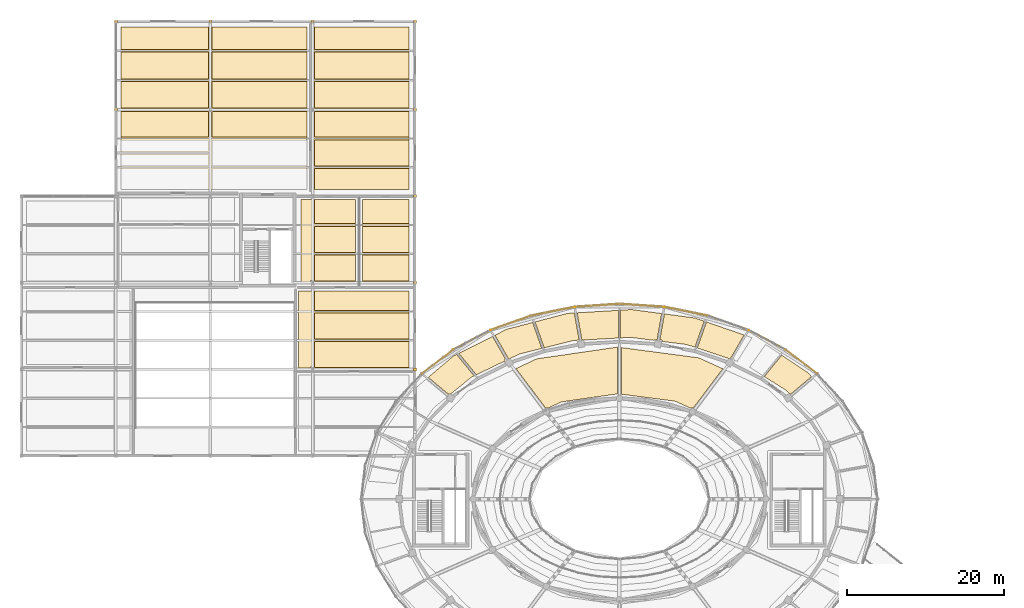
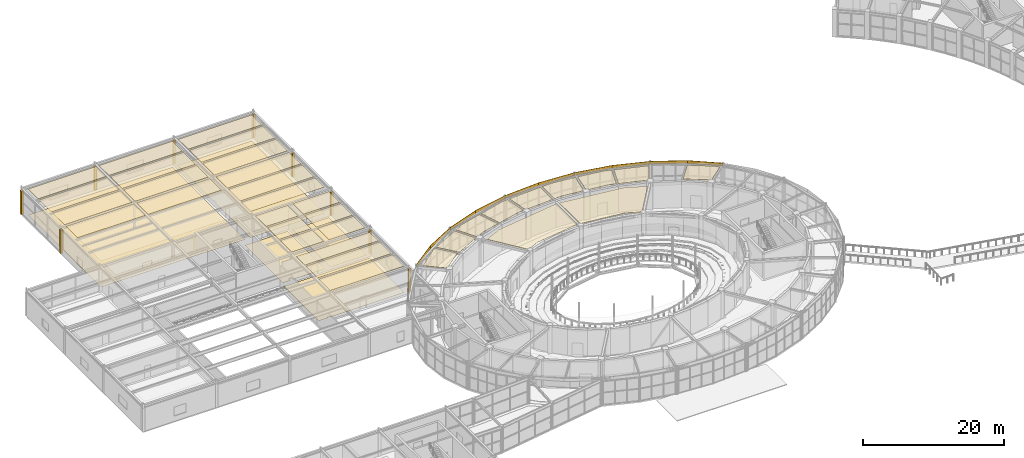
# One storey, part 96 of 100: 58 coverings.
"""IFC4 building model written with IfcOpenShell, lengths in metres."""

from ifc_helpers import new_model, si_unit, direction, frame, frame_2d, origin, origin_2d, place, context, subcontext, project, spatial, polyline, rectangle, outline, extrude, material, layer, layer_set, type_object, element, save


model = new_model("IFC4")

# Units and contexts
model_context = context("Model", 3, precision=1e-05, world=origin(), true_north=direction((0.0, 1.0)))
body_context = subcontext(model_context, "Body", "Model", "MODEL_VIEW")
ifc_project = project(units=[si_unit("LENGTHUNIT", "METRE"), si_unit("AREAUNIT", "SQUARE_METRE"), si_unit("VOLUMEUNIT", "CUBIC_METRE"), si_unit("PLANEANGLEUNIT", "RADIAN"), si_unit("MASSUNIT", "GRAM", prefix="KILO")], contexts=[model_context])

# Site, building, storey
site_placement = place(None, origin())
site = spatial("IfcSite", under=ifc_project, at=site_placement, CompositionType="ELEMENT")
building_placement = place(site_placement, origin())
building = spatial("IfcBuilding", under=site, at=building_placement, Name="Tarnveldt Headland Concert Hall", CompositionType="ELEMENT")
storey_placement = place(building_placement, frame((0.0, 0.0, 4.800048828125)))
storey = spatial("IfcBuildingStorey", under=building, at=storey_placement, Name="L01", CompositionType="ELEMENT", Elevation=4.800048828125)

# Coverings
ifc_material_1 = material(Name="Micro-perforated mvule acoustic ceiling panel", Category="timber")
ifc_layer_1 = layer(ifc_material_1, 0.050048828125, Name="Micro-perforated mvule acoustic ceiling panel", Category="timber")
ifc_layer_set_1 = layer_set([ifc_layer_1], Name="Micro-perforated mvule acoustic ceiling panel")
covering_type_1 = type_object("IfcCoveringType", Name="CV-CEIL50", PredefinedType="CEILING", material=ifc_layer_set_1)
covering_1_placement = place(storey_placement, frame((0.0, 0.0, 4.489990234375)))
element("IfcCovering", 1, at=covering_1_placement, inside=storey, type_object=covering_type_1, Name="Acoustic mvule ceiling L01-10-122", PredefinedType="CEILING", context=body_context, shape_type="SweptSolid", body=[
    extrude(outline(polyline([(90.525146484375, 66.949462890625), (84.0, 67.794677734375), (84.0, 67.800048828125), (83.95947265625, 67.800048828125), (83.72998046875, 67.82958984375), (83.72998046875, 73.755615234375), (93.58447265625, 72.45263671875), (96.640380859375, 71.06201171875), (92.888916015625, 66.085205078125), (92.482421875, 66.085205078125), (90.575439453125, 66.935302734375), (90.55908203125, 66.941650390625), (90.54248046875, 66.9462890625), (90.525146484375, 66.949462890625)])), origin(), (0.0, 0.0, 1.0), 0.050048828125),
])
covering_2_placement = place(storey_placement, frame((0.0, 0.0, 4.489990234375)))
element("IfcCovering", 2, at=covering_2_placement, inside=storey, type_object=covering_type_1, Name="Acoustic mvule ceiling L01-10-123", PredefinedType="CEILING", context=body_context, shape_type="SweptSolid", body=[
    extrude(outline(polyline([(76.114990234375, 66.847412109375), (74.46875, 66.085205078125), (74.111083984375, 66.085205078125), (70.344482421875, 71.08251953125), (72.973388671875, 72.324951171875), (83.260986328125, 73.817626953125), (83.27001953125, 73.81640625), (83.27001953125, 67.872314453125), (76.165283203125, 66.8623046875), (76.148193359375, 66.859130859375), (76.13134765625, 66.85400390625), (76.114990234375, 66.847412109375)])), origin(), (0.0, 0.0, 1.0), 0.050048828125),
])
covering_3_placement = place(storey_placement, frame((0.0, 0.0, 4.489990234375)))
element("IfcCovering", 3, at=covering_3_placement, inside=storey, type_object=covering_type_1, Name="Acoustic mvule ceiling L01-12-145", PredefinedType="CEILING", context=body_context, shape_type="SweptSolid", body=[
    extrude(outline(polyline([(104.123779296875, 72.793212890625), (107.386962890625, 70.621337890625), (107.91064453125, 70.069091796875), (105.302490234375, 67.880859375), (105.126708984375, 67.880859375), (104.73291015625, 68.277099609375), (104.718017578125, 68.29052734375), (104.701904296875, 68.30224609375), (101.90771484375, 70.077880859375), (104.123779296875, 72.793212890625)])), origin(), (0.0, 0.0, 1.0), 0.050048828125),
])
covering_4_placement = place(storey_placement, frame((0.0, 0.0, 4.489990234375)))
element("IfcCovering", 4, at=covering_4_placement, inside=storey, type_object=covering_type_1, Name="Acoustic mvule ceiling L01-13-146", PredefinedType="CEILING", context=body_context, shape_type="SweptSolid", body=[
    extrude(outline(polyline([(93.0888671875, 73.79296875), (92.037353515625, 74.14013671875), (92.020751953125, 74.144775390625), (92.003662109375, 74.147705078125), (88.88720703125, 74.544921875), (88.88720703125, 74.72119140625), (88.63232421875, 74.72119140625), (89.216552734375, 78.0341796875), (93.10400390625, 77.51513671875), (94.264404296875, 77.114013671875), (93.0888671875, 73.79296875)])), origin(), (0.0, 0.0, 1.0), 0.050048828125),
])
covering_5_placement = place(storey_placement, frame((0.0, 0.0, 4.489990234375)))
element("IfcCovering", 5, at=covering_5_placement, inside=storey, type_object=covering_type_1, Name="Acoustic mvule ceiling L01-13-147", PredefinedType="CEILING", context=body_context, shape_type="SweptSolid", body=[
    extrude(outline(polyline([(83.655029296875, 74.987548828125), (83.655029296875, 78.508056640625), (85.043212890625, 78.59130859375), (88.869384765625, 78.08056640625), (88.27685546875, 74.72119140625), (87.837158203125, 74.72119140625), (87.837158203125, 74.6787109375), (84.885498046875, 75.05517578125), (84.868896484375, 75.056396484375), (84.852294921875, 75.05615234375), (83.655029296875, 74.987548828125)])), origin(), (0.0, 0.0, 1.0), 0.050048828125),
])
covering_6_placement = place(storey_placement, frame((0.0, 0.0, 4.489990234375)))
element("IfcCovering", 6, at=covering_6_placement, inside=storey, type_object=covering_type_1, Name="Acoustic mvule ceiling L01-13-148", PredefinedType="CEILING", context=body_context, shape_type="SweptSolid", body=[
    extrude(outline(polyline([(83.344970703125, 74.9697265625), (79.008056640625, 74.72119140625), (78.72314453125, 74.72119140625), (78.114013671875, 78.17529296875), (83.344970703125, 78.4892578125), (83.344970703125, 74.9697265625)])), origin(), (0.0, 0.0, 1.0), 0.050048828125),
])
covering_7_placement = place(storey_placement, frame((0.0, 0.0, 4.489990234375)))
element("IfcCovering", 7, at=covering_7_placement, inside=storey, type_object=covering_type_1, Name="Acoustic mvule ceiling L01-13-149", PredefinedType="CEILING", context=body_context, shape_type="SweptSolid", body=[
    extrude(outline(polyline([(77.62890625, 74.641357421875), (77.6123046875, 74.637939453125), (73.937255859375, 73.719482421875), (72.767333984375, 77.024169921875), (76.8818359375, 78.101318359375), (77.76220703125, 78.154296875), (78.36767578125, 74.72119140625), (78.11279296875, 74.72119140625), (78.11279296875, 74.669921875), (77.6455078125, 74.64306640625), (77.62890625, 74.641357421875)])), origin(), (0.0, 0.0, 1.0), 0.050048828125),
])
covering_8_placement = place(storey_placement, frame((0.0, 0.0, 4.489990234375)))
element("IfcCovering", 8, at=covering_8_placement, inside=storey, type_object=covering_type_1, Name="Acoustic mvule ceiling L01-13-150", PredefinedType="CEILING", context=body_context, shape_type="SweptSolid", body=[
    extrude(outline(polyline([(69.55810546875, 72.345458984375), (69.39892578125, 72.345458984375), (67.674072265625, 75.3330078125), (69.15185546875, 76.07763671875), (72.46630859375, 76.9453125), (73.635009765625, 73.643798828125), (70.784423828125, 72.931396484375), (70.766845703125, 72.926025390625), (70.75, 72.9189453125), (69.55810546875, 72.345458984375)])), origin(), (0.0, 0.0, 1.0), 0.050048828125),
])
covering_9_placement = place(storey_placement, frame((0.0, 0.0, 4.489990234375)))
element("IfcCovering", 9, at=covering_9_placement, inside=storey, type_object=covering_type_1, Name="Acoustic mvule ceiling L01-13-151", PredefinedType="CEILING", context=body_context, shape_type="SweptSolid", body=[
    extrude(outline(polyline([(68.994873046875, 72.345458984375), (68.97509765625, 72.345458984375), (68.97509765625, 72.06494140625), (65.309814453125, 70.301513671875), (63.089111328125, 73.022705078125), (67.361083984375, 75.17529296875), (68.994873046875, 72.345458984375)])), origin(), (0.0, 0.0, 1.0), 0.050048828125),
])
covering_10_placement = place(storey_placement, frame((0.0, 0.0, 4.489990234375)))
element("IfcCovering", 10, at=covering_10_placement, inside=storey, type_object=covering_type_1, Name="Acoustic mvule ceiling L01-13-152", PredefinedType="CEILING", context=body_context, shape_type="SweptSolid", body=[
    extrude(outline(polyline([(64.724853515625, 70.018798828125), (64.7080078125, 70.006591796875), (62.083740234375, 67.880859375), (61.697509765625, 67.880859375), (59.200439453125, 69.975830078125), (62.356201171875, 72.653564453125), (62.805419921875, 72.8798828125), (65.0224609375, 70.163330078125), (64.7431640625, 70.029052734375), (64.724853515625, 70.018798828125)])), origin(), (0.0, 0.0, 1.0), 0.050048828125),
])
covering_11_placement = place(storey_placement, frame((0.0, 0.0, 4.489990234375)))
element("IfcCovering", 11, at=covering_11_placement, inside=storey, type_object=covering_type_1, Name="Acoustic mvule ceiling L01-13-154", PredefinedType="CEILING", context=body_context, shape_type="SweptSolid", body=[
    extrude(outline(polyline([(97.60107421875, 72.345458984375), (97.472412109375, 72.345458984375), (93.38330078125, 73.69580078125), (94.557373046875, 77.012451171875), (99.340576171875, 75.3583984375), (97.60107421875, 72.345458984375)])), origin(), (0.0, 0.0, 1.0), 0.050048828125),
])
covering_12_placement = place(storey_placement, frame((0.0, 0.0, 4.489990234375)))
element("IfcCovering", 12, at=covering_12_placement, inside=storey, type_object=covering_type_1, Name="Acoustic mvule ceiling L01-26-192", PredefinedType="CEILING", context=body_context, shape_type="SweptSolid", body=[
    extrude(outline(polyline([(56.77001953125, 71.22998046875), (44.75, 71.22998046875), (44.75, 71.280029296875), (44.72998046875, 71.280029296875), (44.72998046875, 74.501953125), (56.77001953125, 74.501953125), (56.77001953125, 71.22998046875)])), origin(), (0.0, 0.0, 1.0), 0.050048828125),
])
covering_13_placement = place(storey_placement, frame((0.0, 0.0, 4.489990234375)))
element("IfcCovering", 13, at=covering_13_placement, inside=storey, type_object=covering_type_1, Name="Acoustic mvule ceiling L01-26-193", PredefinedType="CEILING", context=body_context, shape_type="SweptSolid", body=[
    extrude(outline(polyline([(56.77001953125, 78.498046875), (44.72998046875, 78.498046875), (44.72998046875, 80.969970703125), (56.77001953125, 80.969970703125), (56.77001953125, 78.498046875)])), origin(), (0.0, 0.0, 1.0), 0.050048828125),
])
covering_14_placement = place(storey_placement, frame((0.0, 0.0, 4.489990234375)))
element("IfcCovering", 14, at=covering_14_placement, inside=storey, type_object=covering_type_1, Name="Acoustic mvule ceiling L01-26-194", PredefinedType="CEILING", context=body_context, shape_type="SweptSolid", body=[
    extrude(outline(polyline([(44.72998046875, 74.83203125), (44.72998046875, 78.16796875), (56.77001953125, 78.16796875), (56.77001953125, 74.83203125), (44.72998046875, 74.83203125)])), origin(), (0.0, 0.0, 1.0), 0.050048828125),
])
covering_15_placement = place(storey_placement, frame((0.0, 0.0, 4.489990234375)))
element("IfcCovering", 15, at=covering_15_placement, inside=storey, type_object=covering_type_1, Name="Acoustic mvule ceiling L01-30-201", PredefinedType="CEILING", context=body_context, shape_type="SweptSolid", body=[
    extrude(outline(polyline([(49.969970703125, 82.22998046875), (44.75, 82.22998046875), (44.75, 82.280029296875), (44.72998046875, 82.280029296875), (44.72998046875, 85.501953125), (49.969970703125, 85.501953125), (49.969970703125, 82.22998046875)])), origin(), (0.0, 0.0, 1.0), 0.050048828125),
])
covering_16_placement = place(storey_placement, frame((0.0, 0.0, 4.489990234375)))
element("IfcCovering", 16, at=covering_16_placement, inside=storey, type_object=covering_type_1, Name="Acoustic mvule ceiling L01-30-202", PredefinedType="CEILING", context=body_context, shape_type="SweptSolid", body=[
    extrude(outline(polyline([(49.969970703125, 89.498046875), (44.72998046875, 89.498046875), (44.72998046875, 92.570068359375), (49.969970703125, 92.570068359375), (49.969970703125, 89.498046875)])), origin(), (0.0, 0.0, 1.0), 0.050048828125),
])
covering_17_placement = place(storey_placement, frame((0.0, 0.0, 4.489990234375)))
element("IfcCovering", 17, at=covering_17_placement, inside=storey, type_object=covering_type_1, Name="Acoustic mvule ceiling L01-30-203", PredefinedType="CEILING", context=body_context, shape_type="SweptSolid", body=[
    extrude(outline(polyline([(44.72998046875, 85.83203125), (44.72998046875, 89.16796875), (49.969970703125, 89.16796875), (49.969970703125, 85.83203125), (44.72998046875, 85.83203125)])), origin(), (0.0, 0.0, 1.0), 0.050048828125),
])
covering_18_placement = place(storey_placement, frame((0.0, 0.0, 4.489990234375)))
element("IfcCovering", 18, at=covering_18_placement, inside=storey, type_object=covering_type_1, Name="Acoustic mvule ceiling L01-31-204", PredefinedType="CEILING", context=body_context, shape_type="SweptSolid", body=[
    extrude(outline(polyline([(50.830078125, 89.498046875), (50.830078125, 92.570068359375), (56.77001953125, 92.570068359375), (56.77001953125, 89.498046875), (50.830078125, 89.498046875)])), origin(), (0.0, 0.0, 1.0), 0.050048828125),
])
covering_19_placement = place(storey_placement, frame((0.0, 0.0, 4.489990234375)))
element("IfcCovering", 19, at=covering_19_placement, inside=storey, type_object=covering_type_1, Name="Acoustic mvule ceiling L01-31-205", PredefinedType="CEILING", context=body_context, shape_type="SweptSolid", body=[
    extrude(outline(polyline([(50.830078125, 85.83203125), (50.830078125, 89.16796875), (56.77001953125, 89.16796875), (56.77001953125, 85.83203125), (50.830078125, 85.83203125)])), origin(), (0.0, 0.0, 1.0), 0.050048828125),
])
covering_20_placement = place(storey_placement, frame((0.0, 0.0, 4.489990234375)))
element("IfcCovering", 20, at=covering_20_placement, inside=storey, type_object=covering_type_1, Name="Acoustic mvule ceiling L01-31-206", PredefinedType="CEILING", context=body_context, shape_type="SweptSolid", body=[
    extrude(outline(polyline([(50.830078125, 85.501953125), (56.77001953125, 85.501953125), (56.77001953125, 82.22998046875), (50.830078125, 82.22998046875), (50.830078125, 85.501953125)])), origin(), (0.0, 0.0, 1.0), 0.050048828125),
])
covering_21_placement = place(storey_placement, frame((0.0, 0.0, 4.489990234375)))
element("IfcCovering", 21, at=covering_21_placement, inside=storey, type_object=covering_type_1, Name="Acoustic mvule ceiling L01-33-220", PredefinedType="CEILING", context=body_context, shape_type="SweptSolid", body=[
    extrude(outline(polyline([(44.75, 103.77001953125), (56.77001953125, 103.77001953125), (56.77001953125, 100.498046875), (44.72998046875, 100.498046875), (44.72998046875, 103.719970703125), (44.75, 103.719970703125), (44.75, 103.77001953125)])), origin(), (0.0, 0.0, 1.0), 0.050048828125),
])
covering_22_placement = place(storey_placement, frame((0.0, 0.0, 4.489990234375)))
element("IfcCovering", 22, at=covering_22_placement, inside=storey, type_object=covering_type_1, Name="Acoustic mvule ceiling L01-33-221", PredefinedType="CEILING", context=body_context, shape_type="SweptSolid", body=[
    extrude(outline(polyline([(56.77001953125, 96.83203125), (44.72998046875, 96.83203125), (44.72998046875, 100.16796875), (56.77001953125, 100.16796875), (56.77001953125, 96.83203125)])), origin(), (0.0, 0.0, 1.0), 0.050048828125),
])
covering_23_placement = place(storey_placement, frame((0.0, 0.0, 4.489990234375)))
element("IfcCovering", 23, at=covering_23_placement, inside=storey, type_object=covering_type_1, Name="Acoustic mvule ceiling L01-33-222", PredefinedType="CEILING", context=body_context, shape_type="SweptSolid", body=[
    extrude(outline(polyline([(44.72998046875, 93.830078125), (44.72998046875, 96.501953125), (56.77001953125, 96.501953125), (56.77001953125, 93.830078125), (44.72998046875, 93.830078125)])), origin(), (0.0, 0.0, 1.0), 0.050048828125),
])
covering_24_placement = place(storey_placement, frame((0.0, 0.0, 4.489990234375)))
element("IfcCovering", 24, at=covering_24_placement, inside=storey, type_object=covering_type_1, Name="Acoustic mvule ceiling L01-33-223", PredefinedType="CEILING", context=body_context, shape_type="SweptSolid", body=[
    extrude(outline(polyline([(44.72998046875, 104.280029296875), (44.72998046875, 107.568115234375), (56.77001953125, 107.568115234375), (56.77001953125, 104.22998046875), (44.75, 104.22998046875), (44.75, 104.280029296875), (44.72998046875, 104.280029296875)])), origin(), (0.0, 0.0, 1.0), 0.050048828125),
])
covering_25_placement = place(storey_placement, frame((0.0, 0.0, 4.489990234375)))
element("IfcCovering", 25, at=covering_25_placement, inside=storey, type_object=covering_type_1, Name="Acoustic mvule ceiling L01-33-224", PredefinedType="CEILING", context=body_context, shape_type="SweptSolid", body=[
    extrude(outline(polyline([(56.77001953125, 111.632080078125), (44.72998046875, 111.632080078125), (44.72998046875, 114.469970703125), (56.77001953125, 114.469970703125), (56.77001953125, 111.632080078125)])), origin(), (0.0, 0.0, 1.0), 0.050048828125),
])
covering_26_placement = place(storey_placement, frame((0.0, 0.0, 4.489990234375)))
element("IfcCovering", 26, at=covering_26_placement, inside=storey, type_object=covering_type_1, Name="Acoustic mvule ceiling L01-33-225", PredefinedType="CEILING", context=body_context, shape_type="SweptSolid", body=[
    extrude(outline(polyline([(44.72998046875, 107.89794921875), (44.72998046875, 111.302001953125), (56.77001953125, 111.302001953125), (56.77001953125, 107.89794921875), (44.72998046875, 107.89794921875)])), origin(), (0.0, 0.0, 1.0), 0.050048828125),
])
ifc_layer_2 = layer(ifc_material_1, 0.06494140625, Name="Micro-perforated mvule acoustic ceiling panel", Category="timber")
ifc_layer_set_2 = layer_set([ifc_layer_2], Name="Micro-perforated mvule acoustic ceiling panel")
covering_type_2 = type_object("IfcCoveringType", Name="CV-CEIL65", PredefinedType="CEILING", material=ifc_layer_set_2)
covering_27_placement = place(storey_placement, frame((0.0, 0.0, 4.474853515625)))
element("IfcCovering", 27, at=covering_27_placement, inside=storey, type_object=covering_type_2, Name="Acoustic mvule ceiling L01-32-207", PredefinedType="CEILING", context=body_context, shape_type="SweptSolid", body=[
    extrude(outline(polyline([(20.1298828125, 107.89794921875), (20.1298828125, 111.302001953125), (31.27001953125, 111.302001953125), (31.27001953125, 107.89794921875), (20.1298828125, 107.89794921875)])), origin(), (0.0, 0.0, 1.0), 0.065185546875),
])
covering_28_placement = place(storey_placement, frame((0.0, 0.0, 4.474853515625)))
element("IfcCovering", 28, at=covering_28_placement, inside=storey, type_object=covering_type_2, Name="Acoustic mvule ceiling L01-32-208", PredefinedType="CEILING", context=body_context, shape_type="SweptSolid", body=[
    extrude(outline(polyline([(20.1298828125, 111.632080078125), (20.1298828125, 114.469970703125), (31.27001953125, 114.469970703125), (31.27001953125, 111.632080078125), (20.1298828125, 111.632080078125)])), origin(), (0.0, 0.0, 1.0), 0.065185546875),
])
covering_29_placement = place(storey_placement, frame((0.0, 0.0, 4.474853515625)))
element("IfcCovering", 29, at=covering_29_placement, inside=storey, type_object=covering_type_2, Name="Acoustic mvule ceiling L01-32-209", PredefinedType="CEILING", context=body_context, shape_type="SweptSolid", body=[
    extrude(outline(polyline([(43.77001953125, 111.302001953125), (43.77001953125, 107.89794921875), (31.72998046875, 107.89794921875), (31.72998046875, 111.302001953125), (43.77001953125, 111.302001953125)])), origin(), (0.0, 0.0, 1.0), 0.065185546875),
])
covering_30_placement = place(storey_placement, frame((0.0, 0.0, 4.474853515625)))
element("IfcCovering", 30, at=covering_30_placement, inside=storey, type_object=covering_type_2, Name="Acoustic mvule ceiling L01-32-210", PredefinedType="CEILING", context=body_context, shape_type="SweptSolid", body=[
    extrude(outline(polyline([(43.77001953125, 111.632080078125), (31.72998046875, 111.632080078125), (31.72998046875, 114.469970703125), (43.77001953125, 114.469970703125), (43.77001953125, 111.632080078125)])), origin(), (0.0, 0.0, 1.0), 0.065185546875),
])
covering_31_placement = place(storey_placement, frame((0.0, 0.0, 4.474853515625)))
element("IfcCovering", 31, at=covering_31_placement, inside=storey, type_object=covering_type_2, Name="Acoustic mvule ceiling L01-32-211", PredefinedType="CEILING", context=body_context, shape_type="SweptSolid", body=[
    extrude(outline(polyline([(31.72998046875, 104.280029296875), (31.72998046875, 107.568115234375), (43.77001953125, 107.568115234375), (43.77001953125, 104.22998046875), (31.75, 104.22998046875), (31.75, 104.280029296875), (31.72998046875, 104.280029296875)])), origin(), (0.0, 0.0, 1.0), 0.065185546875),
])
covering_32_placement = place(storey_placement, frame((0.0, 0.0, 4.474853515625)))
element("IfcCovering", 32, at=covering_32_placement, inside=storey, type_object=covering_type_2, Name="Acoustic mvule ceiling L01-32-212", PredefinedType="CEILING", context=body_context, shape_type="SweptSolid", body=[
    extrude(outline(polyline([(31.27001953125, 107.568115234375), (31.27001953125, 104.280029296875), (31.25, 104.280029296875), (31.25, 104.22998046875), (20.1298828125, 104.22998046875), (20.1298828125, 107.568115234375), (31.27001953125, 107.568115234375)])), origin(), (0.0, 0.0, 1.0), 0.065185546875),
])
covering_33_placement = place(storey_placement, frame((0.0, 0.0, 4.474853515625)))
element("IfcCovering", 33, at=covering_33_placement, inside=storey, type_object=covering_type_2, Name="Acoustic mvule ceiling L01-32-215", PredefinedType="CEILING", context=body_context, shape_type="SweptSolid", body=[
    extrude(outline(polyline([(20.1298828125, 103.77001953125), (31.25, 103.77001953125), (31.25, 103.719970703125), (31.27001953125, 103.719970703125), (31.27001953125, 100.498046875), (20.1298828125, 100.498046875), (20.1298828125, 103.77001953125)])), origin(), (0.0, 0.0, 1.0), 0.065185546875),
])
covering_34_placement = place(storey_placement, frame((0.0, 0.0, 4.474853515625)))
element("IfcCovering", 34, at=covering_34_placement, inside=storey, type_object=covering_type_2, Name="Acoustic mvule ceiling L01-32-216", PredefinedType="CEILING", context=body_context, shape_type="SweptSolid", body=[
    extrude(outline(polyline([(31.75, 103.77001953125), (43.77001953125, 103.77001953125), (43.77001953125, 100.498046875), (31.72998046875, 100.498046875), (31.72998046875, 103.719970703125), (31.75, 103.719970703125), (31.75, 103.77001953125)])), origin(), (0.0, 0.0, 1.0), 0.065185546875),
])
ifc_material_2 = material(Name="Treated East African mvule hardwood", Category="wood")
ifc_layer_3 = layer(ifc_material_2, 0.044921875, Name="Treated East African mvule hardwood", Category="wood")
ifc_layer_set_3 = layer_set([ifc_layer_3], Name="Treated East African mvule hardwood")
covering_type_3 = type_object("IfcCoveringType", Name="CV-CLAD45", PredefinedType="CLADDING", material=ifc_layer_set_3)
covering_35_placement = place(storey_placement, frame((108.626220703125, 70.441162109375, 4.239990234375), z_axis=(0.0, 0.0, 1.0), x_axis=(-0.797664418204, 0.603101546948, 0.0)))
element("IfcCovering", 35, at=covering_35_placement, inside=storey, type_object=covering_type_3, Name="Mvule hardwood fascia band L01-5", PredefinedType="CLADDING", context=body_context, shape_type="SweptSolid", body=[
    extrude(rectangle(XDim=5.068115234375, YDim=0.044921875, at=frame_2d((2.5341796875, 0.0))), origin(), (0.0, 0.0, 1.0), 0.52001953125),
])
covering_36_placement = place(storey_placement, frame((104.58349609375, 73.497802734375, 4.239990234375), z_axis=(0.0, 0.0, 1.0), x_axis=(-0.88379239872, 0.467879253617, 0.0)))
element("IfcCovering", 36, at=covering_36_placement, inside=storey, type_object=covering_type_3, Name="Mvule hardwood fascia band L01-6", PredefinedType="CLADDING", context=body_context, shape_type="SweptSolid", body=[
    extrude(rectangle(XDim=5.29931640625, YDim=0.044921875, at=frame_2d((2.649658203125, 0.0))), origin(), (0.0, 0.0, 1.0), 0.52001953125),
])
covering_37_placement = place(storey_placement, frame((99.89990234375, 75.977294921875, 4.239990234375), z_axis=(0.0, 0.0, 1.0), x_axis=(-0.943085453999, 0.332550487077, 0.0)))
element("IfcCovering", 37, at=covering_37_placement, inside=storey, type_object=covering_type_3, Name="Mvule hardwood fascia band L01-7", PredefinedType="CLADDING", context=body_context, shape_type="SweptSolid", body=[
    extrude(rectangle(XDim=5.494384765625, YDim=0.044921875, at=frame_2d((2.7470703125, 0.0))), origin(), (0.0, 0.0, 1.0), 0.52001953125),
])
covering_38_placement = place(storey_placement, frame((94.71826171875, 77.804443359375, 4.239990234375), z_axis=(0.0, 0.0, 1.0), x_axis=(-0.980094417088, 0.198531946026, 0.0)))
element("IfcCovering", 38, at=covering_38_placement, inside=storey, type_object=covering_type_3, Name="Mvule hardwood fascia band L01-8", PredefinedType="CLADDING", context=body_context, shape_type="SweptSolid", body=[
    extrude(rectangle(XDim=5.634521484375, YDim=0.044921875, at=frame_2d((2.8173828125, 0.0))), origin(), (0.0, 0.0, 1.0), 0.52001953125),
])
for number, where, z_axis, x_axis, name in (
    (39, (89.19580078125, 78.923095703125, 4.239990234375), (0.0, 0.0, 1.0), (-0.997817213059, 0.066036424216, 0.0), "Mvule hardwood fascia band L01-9"),
    (40, (83.5, 79.300048828125, 4.239990234375), (0.0, 0.0, 1.0), (-0.997817213059, -0.066036424216, 0.0), "Mvule hardwood fascia band L01-10"),
):
    element("IfcCovering", number, at=place(storey_placement, frame(where, z_axis=z_axis, x_axis=x_axis)), inside=storey, type_object=covering_type_3, Name=name, PredefinedType="CLADDING", context=body_context, shape_type="SweptSolid", body=[
        extrude(rectangle(XDim=5.708251953125, YDim=0.044921875, at=frame_2d((2.85400390625, 0.0))), origin(), (0.0, 0.0, 1.0), 0.52001953125),
    ])
covering_39_placement = place(storey_placement, frame((77.80419921875, 78.923095703125, 4.239990234375), z_axis=(0.0, 0.0, 1.0), x_axis=(-0.980094417088, -0.198531946026, 0.0)))
element("IfcCovering", 41, at=covering_39_placement, inside=storey, type_object=covering_type_3, Name="Mvule hardwood fascia band L01-11", PredefinedType="CLADDING", context=body_context, shape_type="SweptSolid", body=[
    extrude(rectangle(XDim=5.634521484375, YDim=0.044921875, at=frame_2d((2.8173828125, 0.0))), origin(), (0.0, 0.0, 1.0), 0.52001953125),
])
covering_40_placement = place(storey_placement, frame((72.28173828125, 77.804443359375, 4.239990234375), z_axis=(0.0, 0.0, 1.0), x_axis=(-0.943085453999, -0.332550487077, 0.0)))
element("IfcCovering", 42, at=covering_40_placement, inside=storey, type_object=covering_type_3, Name="Mvule hardwood fascia band L01-12", PredefinedType="CLADDING", context=body_context, shape_type="SweptSolid", body=[
    extrude(rectangle(XDim=5.494384765625, YDim=0.044921875, at=frame_2d((2.7470703125, 0.0))), origin(), (0.0, 0.0, 1.0), 0.52001953125),
])
covering_41_placement = place(storey_placement, frame((67.10009765625, 75.977294921875, 4.239990234375), z_axis=(0.0, 0.0, 1.0), x_axis=(-0.88379239872, -0.467879253617, 0.0)))
element("IfcCovering", 43, at=covering_41_placement, inside=storey, type_object=covering_type_3, Name="Mvule hardwood fascia band L01-13", PredefinedType="CLADDING", context=body_context, shape_type="SweptSolid", body=[
    extrude(rectangle(XDim=5.29931640625, YDim=0.044921875, at=frame_2d((2.649658203125, 0.0))), origin(), (0.0, 0.0, 1.0), 0.52001953125),
])
covering_42_placement = place(storey_placement, frame((62.41650390625, 73.497802734375, 4.239990234375), z_axis=(0.0, 0.0, 1.0), x_axis=(-0.797664418204, -0.603101546948, 0.0)))
element("IfcCovering", 44, at=covering_42_placement, inside=storey, type_object=covering_type_3, Name="Mvule hardwood fascia band L01-14", PredefinedType="CLADDING", context=body_context, shape_type="SweptSolid", body=[
    extrude(rectangle(XDim=5.068115234375, YDim=0.044921875, at=frame_2d((2.5341796875, 0.0))), origin(), (0.0, 0.0, 1.0), 0.52001953125),
])
ifc_layer_4 = layer(ifc_material_2, 0.028076171875, Name="Treated East African mvule hardwood", Category="wood")
ifc_layer_set_4 = layer_set([ifc_layer_4], Name="Treated East African mvule hardwood")
covering_type_4 = type_object("IfcCoveringType", Name="CV-FLOR28", PredefinedType="FLOORING", material=ifc_layer_set_4)
covering_43_placement = place(storey_placement, origin())
element("IfcCovering", 45, at=covering_43_placement, inside=storey, type_object=covering_type_4, Name="Architectural flooring L01-32-59", PredefinedType="FLOORING", context=body_context, shape_type="SweptSolid", body=[
    extrude(outline(polyline([(43.77001953125, 114.469970703125), (43.77001953125, 93.830078125), (20.1298828125, 93.830078125), (20.1298828125, 114.469970703125), (43.77001953125, 114.469970703125)])), origin(), (0.0, 0.0, 1.0), 0.02783203125),
])
ifc_material_3 = material(Name="Polished coral-aggregate cementitious terrazzo flooring", Category="concrete")
ifc_layer_5 = layer(ifc_material_3, 0.034912109375, Name="Polished coral-aggregate cementitious terrazzo flooring", Category="concrete")
ifc_layer_set_5 = layer_set([ifc_layer_5], Name="Polished coral-aggregate cementitious terrazzo flooring")
covering_type_5 = type_object("IfcCoveringType", Name="CV-FLOR35", PredefinedType="FLOORING", material=ifc_layer_set_5)
covering_44_placement = place(storey_placement, origin())
element("IfcCovering", 46, at=covering_44_placement, inside=storey, type_object=covering_type_5, Name="Architectural flooring L01-26-53", PredefinedType="FLOORING", context=body_context, shape_type="SweptSolid", body=[
    extrude(outline(polyline([(56.77001953125, 80.969970703125), (56.77001953125, 71.1298828125), (44.75, 71.1298828125), (44.75, 71.280029296875), (44.25, 71.280029296875), (44.25, 71.1298828125), (42.72998046875, 71.1298828125), (42.72998046875, 80.969970703125), (56.77001953125, 80.969970703125)])), origin(), (0.0, 0.0, 1.0), 0.034912109375),
])
covering_45_placement = place(storey_placement, origin())
element("IfcCovering", 47, at=covering_45_placement, inside=storey, type_object=covering_type_5, Name="Architectural flooring L01-30-57", PredefinedType="FLOORING", context=body_context, shape_type="SweptSolid", body=[
    extrude(outline(polyline([(49.969970703125, 92.570068359375), (49.969970703125, 81.830078125), (44.75, 81.830078125), (44.75, 82.280029296875), (44.25, 82.280029296875), (44.25, 81.830078125), (43.030029296875, 81.830078125), (43.030029296875, 92.570068359375), (49.969970703125, 92.570068359375)])), origin(), (0.0, 0.0, 1.0), 0.034912109375),
])
covering_46_placement = place(storey_placement, origin())
element("IfcCovering", 48, at=covering_46_placement, inside=storey, type_object=covering_type_5, Name="Architectural flooring L01-31-58", PredefinedType="FLOORING", context=body_context, shape_type="SweptSolid", body=[
    extrude(outline(polyline([(50.830078125, 92.570068359375), (56.77001953125, 92.570068359375), (56.77001953125, 81.830078125), (50.830078125, 81.830078125), (50.830078125, 92.570068359375)])), origin(), (0.0, 0.0, 1.0), 0.034912109375),
])
covering_47_placement = place(storey_placement, origin())
element("IfcCovering", 49, at=covering_47_placement, inside=storey, type_object=covering_type_5, Name="Architectural flooring L01-33-60", PredefinedType="FLOORING", context=body_context, shape_type="SweptSolid", body=[
    extrude(outline(polyline([(44.75, 103.719970703125), (44.75, 104.280029296875), (44.6298828125, 104.280029296875), (44.6298828125, 114.469970703125), (56.77001953125, 114.469970703125), (56.77001953125, 93.830078125), (44.6298828125, 93.830078125), (44.6298828125, 103.719970703125), (44.75, 103.719970703125)])), origin(), (0.0, 0.0, 1.0), 0.034912109375),
])
ifc_material_4 = material(Name="Coral-toned precast concrete C40/50", Category="concrete")
ifc_layer_6 = layer(ifc_material_4, 0.360107421875, Name="Coral-toned precast concrete C40/50", Category="concrete")
ifc_layer_set_6 = layer_set([ifc_layer_6], Name="Coral-toned precast concrete C40/50")
covering_type_6 = type_object("IfcCoveringType", Name="CV-JNT360", PredefinedType="CLADDING", material=ifc_layer_set_6)
for number, where, z_axis, x_axis, name in (
    (50, (19.5, 104.0, 0.0), (0.0, 0.0, 1.0), (0.0, 1.0, 0.0), "Precast facade joint closure pilaster L01-202"),
    (51, (19.5, 115.199951171875, 0.0), (0.0, 0.0, 1.0), (1.0, 0.0, 0.0), "Precast facade joint closure pilaster L01-203"),
    (52, (31.5, 115.199951171875, 0.0), (0.0, 0.0, 1.0), (1.0, 0.0, 0.0), "Precast facade joint closure pilaster L01-207"),
    (53, (44.5, 115.199951171875, 0.0), (0.0, 0.0, 1.0), (1.0, 0.0, 0.0), "Precast facade joint closure pilaster L01-216"),
    (54, (57.5, 71.0, 0.0), (0.0, 0.0, 1.0), (0.0, -1.0, 0.0), "Precast facade joint closure pilaster L01-219"),
    (55, (57.5, 82.0, 0.0), (0.0, 0.0, 1.0), (0.0, -1.0, 0.0), "Precast facade joint closure pilaster L01-220"),
    (56, (57.5, 93.0, 0.0), (0.0, 0.0, 1.0), (0.0, -1.0, 0.0), "Precast facade joint closure pilaster L01-221"),
    (57, (57.5, 104.0, 0.0), (0.0, 0.0, 1.0), (0.0, -1.0, 0.0), "Precast facade joint closure pilaster L01-222"),
    (58, (57.5, 115.199951171875, 0.0), (0.0, 0.0, 1.0), (0.0, -1.0, 0.0), "Precast facade joint closure pilaster L01-223"),
):
    element("IfcCovering", number, at=place(storey_placement, frame(where, z_axis=z_axis, x_axis=x_axis)), inside=storey, type_object=covering_type_6, Name=name, PredefinedType="CLADDING", context=body_context, shape_type="SweptSolid", body=[
        extrude(rectangle(XDim=0.3798828125, YDim=0.3798828125, at=origin_2d()), origin(), (0.0, 0.0, 1.0), 4.077880859375),
    ])

save(model, "model.ifc")
